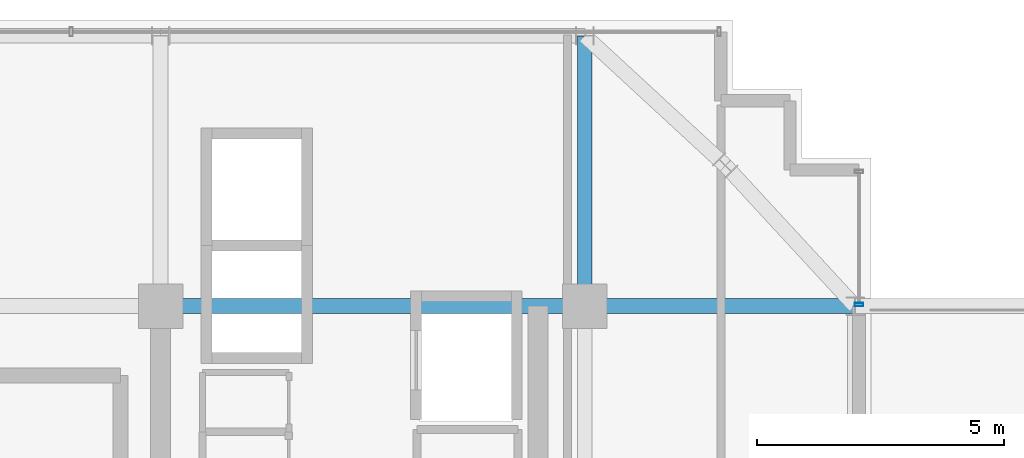
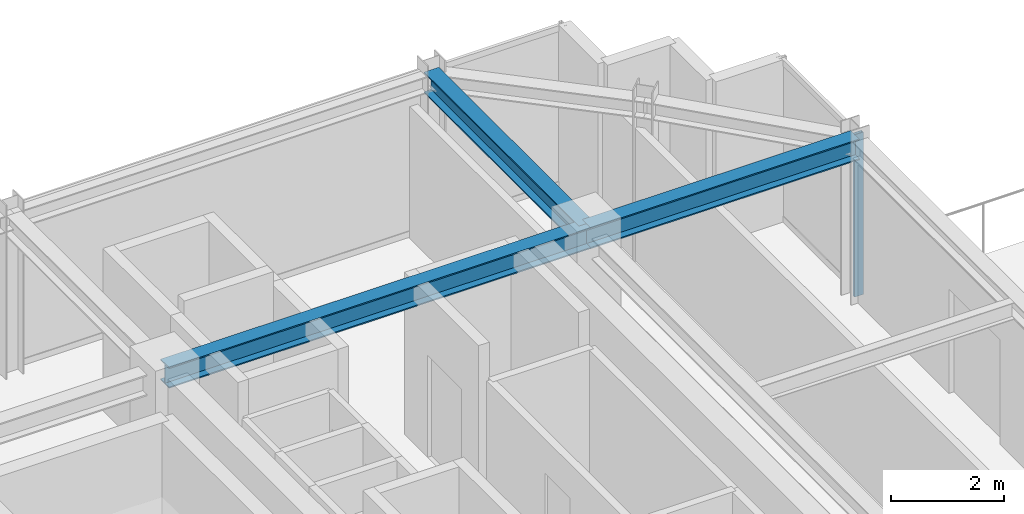
# One storey, part 23 of 33: 3 beams, 1 member, 1 element without a shape of its own.
"""IFC4 building model written with IfcOpenShell, lengths in metres."""

from ifc_helpers import new_model, si_unit, direction, frame, origin, origin_2d, place, context, subcontext, project, spatial, hollow_rectangle, i_section, extrude, source, transform, mapped, material, material_profile, profile_set, type_object, element, aggregate, save


model = new_model("IFC4")

# Units and contexts
model_context = context("Model", 3, precision=1e-05, world=origin(), true_north=direction((0.0, 1.0)))
body_context = subcontext(model_context, "Body", "Model", "MODEL_VIEW")
ifc_project = project(units=[si_unit("LENGTHUNIT", "METRE"), si_unit("AREAUNIT", "SQUARE_METRE"), si_unit("VOLUMEUNIT", "CUBIC_METRE"), si_unit("PLANEANGLEUNIT", "RADIAN"), si_unit("MASSUNIT", "GRAM", prefix="KILO")], contexts=[model_context])

# Site, building, storey
site_placement = place(None, origin())
site = spatial("IfcSite", under=ifc_project, at=site_placement, CompositionType="ELEMENT")
building_placement = place(site_placement, origin())
building = spatial("IfcBuilding", under=site, at=building_placement, Name="Nahalor Promenade Grand Hotel", CompositionType="ELEMENT")
storey_placement = place(building_placement, frame((0.0, 0.0, 315.75)))
storey = spatial("IfcBuildingStorey", under=building, at=storey_placement, Name="L81", CompositionType="ELEMENT", Elevation=315.75)

# Beams
ifc_material_1 = material(Name="Steel S355JR", Category="steel")
ifc_material_profile_1 = material_profile(ifc_material_1, i_section(OverallWidth=0.3, OverallDepth=0.45, WebThickness=0.014, FlangeThickness=0.026, at=origin_2d()), Name="HEB 450")
ifc_profile_set_1 = profile_set([ifc_material_profile_1], Name="Steel S355JR")
beam_type = type_object("IfcBeamType", Name="Beam-Girder-HEB450", PredefinedType="BEAM", material=ifc_profile_set_1)
shared_shape_1 = source(origin(), body_context, "Body", "SweptSolid", [
    extrude(i_section(OverallWidth=0.3, OverallDepth=0.45, WebThickness=0.014, FlangeThickness=0.026, at=origin_2d()), origin(), (0.0, 0.0, 1.0), 8.60009765625),
])
beam_placement = place(storey_placement, frame((8.39990234375, 17.0, 3.27490234375), z_axis=(1.0, 0.0, 0.0), x_axis=(0.0, 1.0, 0.0)))
element("IfcBeam", 1, at=beam_placement, inside=storey, type_object=beam_type, Name="BM-L81-GX-3-5", PredefinedType="BEAM", context=body_context, shape_type="MappedRepresentation", body=[
    mapped(shared_shape_1, transform((0.0, 0.0, 0.0), scale=1.0)),
])
shared_shape_2 = source(origin(), body_context, "Body", "SweptSolid", [
    extrude(i_section(OverallWidth=0.3, OverallDepth=0.45, WebThickness=0.014, FlangeThickness=0.026, at=origin_2d()), origin(), (0.0, 0.0, 1.0), 5.47998046875),
])
for number, where, z_axis, x_axis, name in (
    (2, (17.0, 17.0, 3.27490234375), (1.0, 0.0, 0.0), (0.0, 1.0, 0.0), "BM-L81-GX-3-6"),
    (3, (17.0, 17.0, 3.27490234375), (0.0, 1.0, 0.0), (-1.0, 0.0, 0.0), "BM-L81-GY-5-4"),
):
    element("IfcBeam", number, at=place(storey_placement, frame(where, z_axis=z_axis, x_axis=x_axis)), inside=storey, type_object=beam_type, Name=name, PredefinedType="BEAM", context=body_context, shape_type="MappedRepresentation", body=[
        mapped(shared_shape_2, transform((0.0, 0.0, 0.0), scale=1.0)),
    ])

# Curtain wall, member
ifc_material_2 = material(Name="Anodised Bronze Aluminium EN AW-6063 T6", Category="aluminium")
curtain_wall_type = type_object("IfcCurtainWallType", Name="CW2 Typical Hotel Flush Bronze Unitised Curtain Wall", PredefinedType="USERDEFINED", material=ifc_material_2)
curtain_wall_placement = place(storey_placement, origin())
curtain_wall = element("IfcCurtainWall", 4, at=curtain_wall_placement, inside=storey, type_object=curtain_wall_type, Name="L81 Curtain Wall CW-L81-E-3", ObjectType="UNITISED_CURTAIN_WALL", PredefinedType="USERDEFINED")
ifc_material_profile_2 = material_profile(ifc_material_2, hollow_rectangle(XDim=0.065, YDim=0.18, WallThickness=0.004, at=origin_2d()), Name="CWM 65x180x4")
ifc_profile_set_2 = profile_set([ifc_material_profile_2], Name="Anodised Bronze Aluminium EN AW-6063 T6")
member_type = type_object("IfcMemberType", Name="CWM2 Typical Bronze Mullion 65x180", PredefinedType="MULLION", material=ifc_profile_set_2)
shared_shape_3 = source(origin(), body_context, "Body", "SweptSolid", [
    extrude(hollow_rectangle(XDim=0.065, YDim=0.18, WallThickness=0.004, at=origin_2d()), origin(), (0.0, 0.0, 1.0), 3.5),
])
member_placement = place(storey_placement, frame((22.56005859375, 17.032470703125, 0.0), z_axis=(0.0, 0.0, 1.0), x_axis=(0.0, 1.0, 0.0)))
member = element("IfcMember", 5, at=member_placement, type_object=member_type, Name="CW-L81-E-3 Mullion 0", PredefinedType="MULLION", context=body_context, shape_type="MappedRepresentation", body=[
    mapped(shared_shape_3, transform((0.0, 0.0, 0.0), scale=1.0)),
])
aggregate(curtain_wall, [member])

save(model, "model.ifc")
